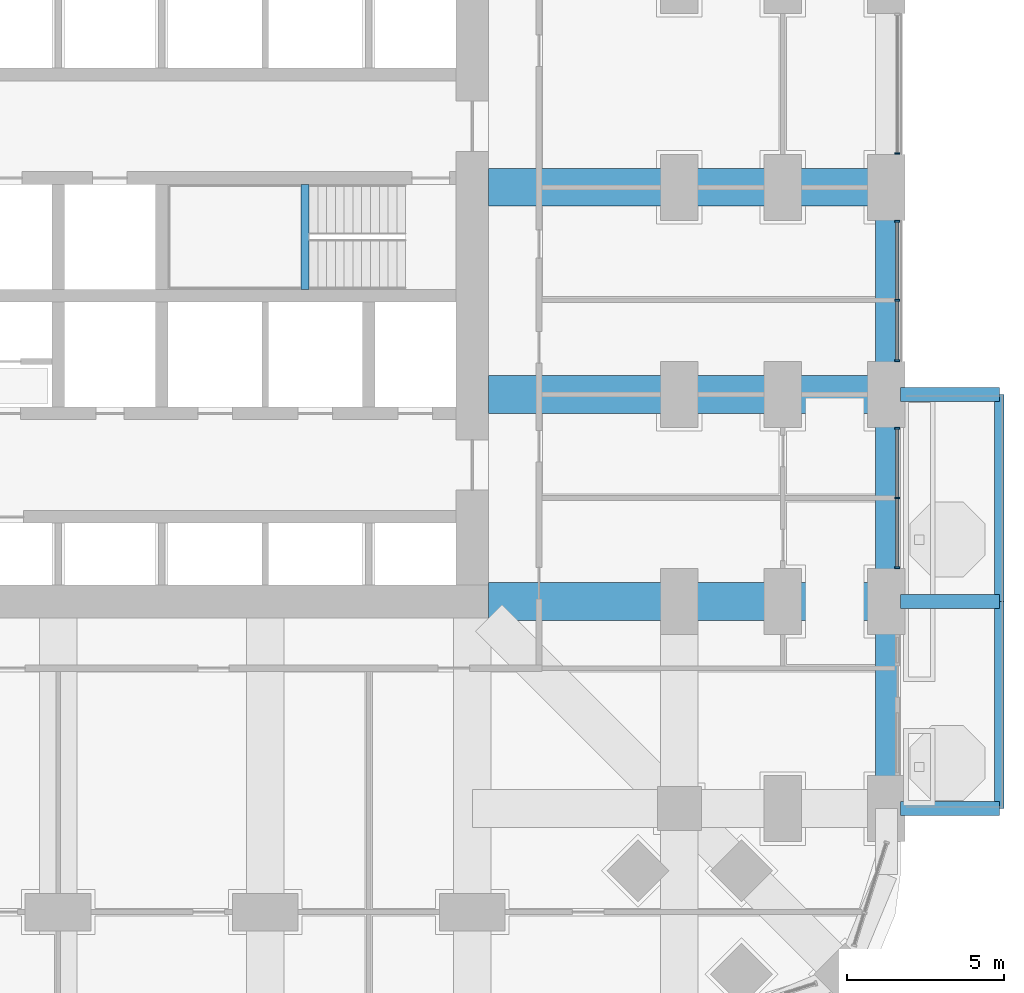
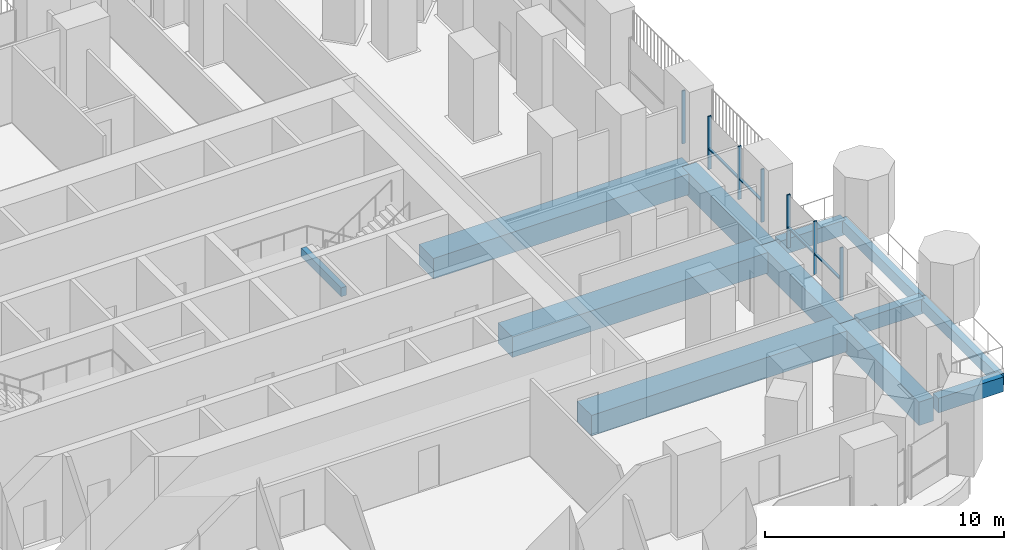
# One storey, part 6 of 27: 12 beams, 11 members, 3 elements without a shape of their own.
"""IFC4 building model written with IfcOpenShell, lengths in metres."""

from ifc_helpers import new_model, si_unit, direction, frame, origin, origin_2d, place, context, subcontext, project, spatial, rectangle, extrude, material, material_profile, profile_set, type_object, element, aggregate, save


model = new_model("IFC4")

# Units and contexts
model_context = context("Model", 3, precision=1e-05, world=origin(), true_north=direction((0.0, 1.0)))
body_context = subcontext(model_context, "Body", "Model", "MODEL_VIEW")
ifc_project = project(units=[si_unit("LENGTHUNIT", "METRE"), si_unit("AREAUNIT", "SQUARE_METRE"), si_unit("VOLUMEUNIT", "CUBIC_METRE"), si_unit("PLANEANGLEUNIT", "RADIAN"), si_unit("MASSUNIT", "GRAM", prefix="KILO")], contexts=[model_context])

# Site, building, storey
site_placement = place(None, origin())
site = spatial("IfcSite", under=ifc_project, at=site_placement, CompositionType="ELEMENT")
building_placement = place(site_placement, origin())
building = spatial("IfcBuilding", under=site, at=building_placement, Name="Cobogo Forest Laboratory Tower", CompositionType="ELEMENT")
storey_placement = place(building_placement, frame((0.0, 0.0, 38.10009765625)))
storey = spatial("IfcBuildingStorey", under=building, at=storey_placement, Name="L08", CompositionType="ELEMENT", Elevation=38.10009765625)

# Beams
ifc_material_1 = material(Name="Concrete HA-40 (C40/50)", Category="concrete")
ifc_material_profile_1 = material_profile(ifc_material_1, rectangle(XDim=0.449951171875, YDim=0.75, at=origin_2d()), Name="RC 450x750")
ifc_profile_set_1 = profile_set([ifc_material_profile_1], Name="Concrete HA-40 (C40/50)")
beam_type_1 = type_object("IfcBeamType", Name="Balcony cantilever beam 450x750", PredefinedType="BEAM", material=ifc_profile_set_1)
for number, where, z_axis, x_axis, name in (
    (1, (53.25, 6.60009765625, -0.625), (1.0, 0.0, 0.0), (0.0, 1.0, 0.0), "CB1 BAL-E1-C1 L08"),
    (2, (53.25, 13.199951171875, -0.625), (1.0, 0.0, 0.0), (0.0, 1.0, 0.0), "CB1 BAL-E1-C2 L08"),
    (3, (53.25, 19.800048828125, -0.625), (1.0, 0.0, 0.0), (0.0, 1.0, 0.0), "CB1 BAL-E1-C3 L08"),
):
    element("IfcBeam", number, at=place(storey_placement, frame(where, z_axis=z_axis, x_axis=x_axis)), inside=storey, type_object=beam_type_1, Name=name, PredefinedType="BEAM", context=body_context, shape_type="SweptSolid", body=[
        extrude(rectangle(XDim=0.449951171875, YDim=0.75, at=origin_2d()), origin(), (0.0, 0.0, 1.0), 3.14990234375),
    ])
ifc_material_profile_2 = material_profile(ifc_material_1, rectangle(XDim=0.300048828125, YDim=0.60009765625, at=origin_2d()), Name="RC 300x600")
ifc_profile_set_2 = profile_set([ifc_material_profile_2], Name="Concrete HA-40 (C40/50)")
beam_type_2 = type_object("IfcBeamType", Name="Balcony edge beam 300x600", PredefinedType="BEAM", material=ifc_profile_set_2)
beam_1_placement = place(storey_placement, frame((56.39990234375, 6.60009765625, -0.550048828125), z_axis=(0.0, 1.0, 0.0), x_axis=(-1.0, 0.0, 0.0)))
element("IfcBeam", 4, at=beam_1_placement, inside=storey, type_object=beam_type_2, Name="BB1 BAL-E1-T1 L08", PredefinedType="BEAM", context=body_context, shape_type="SweptSolid", body=[
    extrude(rectangle(XDim=0.300048828125, YDim=0.60009765625, at=origin_2d()), origin(), (0.0, 0.0, 1.0), 6.599853515625),
])
beam_2_placement = place(storey_placement, frame((56.39990234375, 13.199951171875, -0.550048828125), z_axis=(0.0, 1.0, 0.0), x_axis=(-1.0, 0.0, 0.0)))
element("IfcBeam", 5, at=beam_2_placement, inside=storey, type_object=beam_type_2, Name="BB1 BAL-E1-T2 L08", PredefinedType="BEAM", context=body_context, shape_type="SweptSolid", body=[
    extrude(rectangle(XDim=0.300048828125, YDim=0.60009765625, at=origin_2d()), origin(), (0.0, 0.0, 1.0), 6.60009765625),
])
ifc_material_profile_3 = material_profile(ifc_material_1, rectangle(XDim=0.25, YDim=0.449951171875, at=origin_2d()), Name="RC 250x450")
ifc_profile_set_3 = profile_set([ifc_material_profile_3], Name="Concrete HA-40 (C40/50)")
beam_type_3 = type_object("IfcBeamType", Name="LB1 landing beam 250x450", PredefinedType="BEAM", material=ifc_profile_set_3)
beam_3_placement = place(storey_placement, frame((34.27001953125, 23.14990234375, 1.6748046875), z_axis=(0.0, 1.0, 0.0), x_axis=(-1.0, 0.0, 0.0)))
element("IfcBeam", 6, at=beam_3_placement, inside=storey, type_object=beam_type_3, Name="Landing beam ST2 L08", PredefinedType="BEAM", context=body_context, shape_type="SweptSolid", body=[
    extrude(rectangle(XDim=0.25, YDim=0.449951171875, at=origin_2d()), origin(), (0.0, 0.0, 1.0), 3.35009765625),
])
ifc_material_profile_4 = material_profile(ifc_material_1, rectangle(XDim=1.199951171875, YDim=1.050048828125, at=origin_2d()), Name="RC 1200x1050")
ifc_profile_set_4 = profile_set([ifc_material_profile_4], Name="Concrete HA-40 (C40/50)")
beam_type_4 = type_object("IfcBeamType", Name="Laboratory floor wide beam 1200x1050", PredefinedType="BEAM", material=ifc_profile_set_4)
for number, where, z_axis, x_axis, name in (
    (7, (40.125, 13.199951171875, -0.8251953125), (1.0, 0.0, 0.0), (0.0, 1.0, 0.0), "RB1 R-C-E L08"),
    (8, (40.125, 19.800048828125, -0.8251953125), (1.0, 0.0, 0.0), (0.0, 1.0, 0.0), "RB1 R-D-E L08"),
    (9, (40.125, 26.39990234375, -0.8251953125), (1.0, 0.0, 0.0), (0.0, 1.0, 0.0), "RB1 R-E-E L08"),
):
    element("IfcBeam", number, at=place(storey_placement, frame(where, z_axis=z_axis, x_axis=x_axis)), inside=storey, type_object=beam_type_4, Name=name, PredefinedType="BEAM", context=body_context, shape_type="SweptSolid", body=[
        extrude(rectangle(XDim=1.199951171875, YDim=1.050048828125, at=origin_2d()), origin(), (0.0, 0.0, 1.0), 12.675048828125),
    ])

# Curtain wall, members
ifc_material_2 = material(Name="Aluminium curtain wall", Category="aluminium")
curtain_wall_type = type_object("IfcCurtainWallType", Name="CW-1 unitised curtain wall, clear glazing, laboratory floors zones A and B", PredefinedType="USERDEFINED", material=ifc_material_2)
curtain_wall_1_placement = place(storey_placement, origin())
curtain_wall_1 = element("IfcCurtainWall", 10, at=curtain_wall_1_placement, inside=storey, type_object=curtain_wall_type, Name="Curtain wall 11 L08", ObjectType="UNITISED CURTAIN WALL", PredefinedType="USERDEFINED")
ifc_material_3 = material(Name="Aluminium mullion", Category="aluminium")
ifc_material_profile_5 = material_profile(ifc_material_3, rectangle(XDim=0.06005859375, YDim=0.159912109375, at=origin_2d()), Name="AL 60x160")
ifc_profile_set_5 = profile_set([ifc_material_profile_5], Name="Aluminium mullion")
member_type_1 = type_object("IfcMemberType", Name="MU-1 aluminium mullion 60x160", PredefinedType="MULLION", material=ifc_profile_set_5)
member_1_placement = place(storey_placement, frame((53.14990234375, 14.280029296875, 0.0), z_axis=(0.0, 0.0, 1.0), x_axis=(0.0, 1.0, 0.0)))
member_1 = element("IfcMember", 11, at=member_1_placement, type_object=member_type_1, Name="CW-1 mullion 1", PredefinedType="MULLION", context=body_context, shape_type="SweptSolid", body=[
    extrude(rectangle(XDim=0.06005859375, YDim=0.159912109375, at=origin_2d()), origin(), (0.0, 0.0, 1.0), 2.699951171875),
])
member_2_placement = place(storey_placement, frame((53.14990234375, 16.5, 0.0), z_axis=(0.0, 0.0, 1.0), x_axis=(0.0, 1.0, 0.0)))
member_2 = element("IfcMember", 12, at=member_2_placement, type_object=member_type_1, Name="CW-1 mullion 2", PredefinedType="MULLION", context=body_context, shape_type="SweptSolid", body=[
    extrude(rectangle(XDim=0.06005859375, YDim=0.159912109375, at=origin_2d()), origin(), (0.0, 0.0, 1.0), 2.699951171875),
])
member_3_placement = place(storey_placement, frame((53.14990234375, 18.719970703125, 0.0), z_axis=(0.0, 0.0, 1.0), x_axis=(0.0, 1.0, 0.0)))
member_3 = element("IfcMember", 13, at=member_3_placement, type_object=member_type_1, Name="CW-1 mullion 3", PredefinedType="MULLION", context=body_context, shape_type="SweptSolid", body=[
    extrude(rectangle(XDim=0.06005859375, YDim=0.159912109375, at=origin_2d()), origin(), (0.0, 0.0, 1.0), 2.699951171875),
])

curtain_wall_2_placement = place(storey_placement, origin())
curtain_wall_2 = element("IfcCurtainWall", 14, at=curtain_wall_2_placement, inside=storey, type_object=curtain_wall_type, Name="Curtain wall 12 L08", ObjectType="UNITISED CURTAIN WALL", PredefinedType="USERDEFINED")
member_4_placement = place(storey_placement, frame((53.14990234375, 20.8798828125, 0.0), z_axis=(0.0, 0.0, 1.0), x_axis=(0.0, 1.0, 0.0)))
member_4 = element("IfcMember", 15, at=member_4_placement, type_object=member_type_1, Name="CW-1 mullion 1", PredefinedType="MULLION", context=body_context, shape_type="SweptSolid", body=[
    extrude(rectangle(XDim=0.06005859375, YDim=0.159912109375, at=origin_2d()), origin(), (0.0, 0.0, 1.0), 2.699951171875),
])
member_5_placement = place(storey_placement, frame((53.14990234375, 22.800048828125, 0.0), z_axis=(0.0, 0.0, 1.0), x_axis=(0.0, 1.0, 0.0)))
member_5 = element("IfcMember", 16, at=member_5_placement, type_object=member_type_1, Name="CW-1 mullion 2", PredefinedType="MULLION", context=body_context, shape_type="SweptSolid", body=[
    extrude(rectangle(XDim=0.06005859375, YDim=0.159912109375, at=origin_2d()), origin(), (0.0, 0.0, 1.0), 2.699951171875),
])
member_6_placement = place(storey_placement, frame((53.14990234375, 25.320068359375, 0.0), z_axis=(0.0, 0.0, 1.0), x_axis=(0.0, 1.0, 0.0)))
member_6 = element("IfcMember", 17, at=member_6_placement, type_object=member_type_1, Name="CW-1 mullion 3", PredefinedType="MULLION", context=body_context, shape_type="SweptSolid", body=[
    extrude(rectangle(XDim=0.06005859375, YDim=0.159912109375, at=origin_2d()), origin(), (0.0, 0.0, 1.0), 2.699951171875),
])

# Curtain wall, member
curtain_wall_3_placement = place(storey_placement, origin())
curtain_wall_3 = element("IfcCurtainWall", 18, at=curtain_wall_3_placement, inside=storey, type_object=curtain_wall_type, Name="Curtain wall 13 L08", ObjectType="UNITISED CURTAIN WALL", PredefinedType="USERDEFINED")
member_7_placement = place(storey_placement, frame((53.14990234375, 27.47998046875, 0.0), z_axis=(0.0, 0.0, 1.0), x_axis=(0.0, 1.0, 0.0)))
member_7 = element("IfcMember", 19, at=member_7_placement, type_object=member_type_1, Name="CW-1 mullion 1", PredefinedType="MULLION", context=body_context, shape_type="SweptSolid", body=[
    extrude(rectangle(XDim=0.06005859375, YDim=0.159912109375, at=origin_2d()), origin(), (0.0, 0.0, 1.0), 2.699951171875),
])
aggregate(curtain_wall_3, [member_7])

# Beams
ifc_material_profile_6 = material_profile(ifc_material_1, rectangle(XDim=0.699951171875, YDim=1.199951171875, at=origin_2d()), Name="RC 700x1200")
ifc_profile_set_6 = profile_set([ifc_material_profile_6], Name="Concrete HA-40 (C40/50)")
beam_type_5 = type_object("IfcBeamType", Name="Perimeter edge beam 700x1200", PredefinedType="BEAM", material=ifc_profile_set_6)
beam_4_placement = place(storey_placement, frame((52.800048828125, 6.60009765625, -0.900146484375), z_axis=(0.0, 1.0, 0.0), x_axis=(-1.0, 0.0, 0.0)))
element("IfcBeam", 20, at=beam_4_placement, inside=storey, type_object=beam_type_5, Name="EB1 E-E1 L08", PredefinedType="BEAM", context=body_context, shape_type="SweptSolid", body=[
    extrude(rectangle(XDim=0.699951171875, YDim=1.199951171875, at=origin_2d()), origin(), (0.0, 0.0, 1.0), 6.599853515625),
])
beam_5_placement = place(storey_placement, frame((52.800048828125, 13.199951171875, -0.900146484375), z_axis=(0.0, 1.0, 0.0), x_axis=(-1.0, 0.0, 0.0)))
element("IfcBeam", 21, at=beam_5_placement, inside=storey, type_object=beam_type_5, Name="EB1 E-E2 L08", PredefinedType="BEAM", context=body_context, shape_type="SweptSolid", body=[
    extrude(rectangle(XDim=0.699951171875, YDim=1.199951171875, at=origin_2d()), origin(), (0.0, 0.0, 1.0), 6.60009765625),
])
beam_6_placement = place(storey_placement, frame((52.800048828125, 19.800048828125, -0.900146484375), z_axis=(0.0, 1.0, 0.0), x_axis=(-1.0, 0.0, 0.0)))
element("IfcBeam", 22, at=beam_6_placement, inside=storey, type_object=beam_type_5, Name="EB1 E-E3 L08", PredefinedType="BEAM", context=body_context, shape_type="SweptSolid", body=[
    extrude(rectangle(XDim=0.699951171875, YDim=1.199951171875, at=origin_2d()), origin(), (0.0, 0.0, 1.0), 6.599853515625),
])

# Member
ifc_material_4 = material(Name="Aluminium transom", Category="aluminium")
ifc_material_profile_7 = material_profile(ifc_material_4, rectangle(XDim=0.1201171875, YDim=0.06005859375, at=origin_2d()), Name="AL 60x120")
ifc_profile_set_7 = profile_set([ifc_material_profile_7], Name="Aluminium transom")
member_type_2 = type_object("IfcMemberType", Name="TR-1 aluminium transom 60x120", PredefinedType="USERDEFINED", material=ifc_profile_set_7)
member_8_placement = place(storey_placement, frame((53.14990234375, 14.31005859375, 1.0498046875), z_axis=(0.0, 1.0, 0.0), x_axis=(-1.0, 0.0, 0.0)))
member_8 = element("IfcMember", 23, at=member_8_placement, type_object=member_type_2, Name="CW-1 transom 1.1", ObjectType="TRANSOM", PredefinedType="USERDEFINED", context=body_context, shape_type="SweptSolid", body=[
    extrude(rectangle(XDim=0.1201171875, YDim=0.06005859375, at=origin_2d()), origin(), (0.0, 0.0, 1.0), 2.159912109375),
])

member_9_placement = place(storey_placement, frame((53.14990234375, 16.530029296875, 1.0498046875), z_axis=(0.0, 1.0, 0.0), x_axis=(-1.0, 0.0, 0.0)))
member_9 = element("IfcMember", 24, at=member_9_placement, type_object=member_type_2, Name="CW-1 transom 2.1", ObjectType="TRANSOM", PredefinedType="USERDEFINED", context=body_context, shape_type="SweptSolid", body=[
    extrude(rectangle(XDim=0.1201171875, YDim=0.06005859375, at=origin_2d()), origin(), (0.0, 0.0, 1.0), 2.159912109375),
])

aggregate(curtain_wall_1, [member_1, member_2, member_3, member_8, member_9])

member_10_placement = place(storey_placement, frame((53.14990234375, 20.909912109375, 1.0498046875), z_axis=(0.0, 1.0, 0.0), x_axis=(-1.0, 0.0, 0.0)))
member_10 = element("IfcMember", 25, at=member_10_placement, type_object=member_type_2, Name="CW-1 transom 1.1", ObjectType="TRANSOM", PredefinedType="USERDEFINED", context=body_context, shape_type="SweptSolid", body=[
    extrude(rectangle(XDim=0.1201171875, YDim=0.06005859375, at=origin_2d()), origin(), (0.0, 0.0, 1.0), 1.860107421875),
])

member_11_placement = place(storey_placement, frame((53.14990234375, 22.830078125, 1.0498046875), z_axis=(0.0, 1.0, 0.0), x_axis=(-1.0, 0.0, 0.0)))
member_11 = element("IfcMember", 26, at=member_11_placement, type_object=member_type_2, Name="CW-1 transom 2.1", ObjectType="TRANSOM", PredefinedType="USERDEFINED", context=body_context, shape_type="SweptSolid", body=[
    extrude(rectangle(XDim=0.1201171875, YDim=0.06005859375, at=origin_2d()), origin(), (0.0, 0.0, 1.0), 2.4599609375),
])

aggregate(curtain_wall_2, [member_4, member_5, member_6, member_10, member_11])

save(model, "model.ifc")
